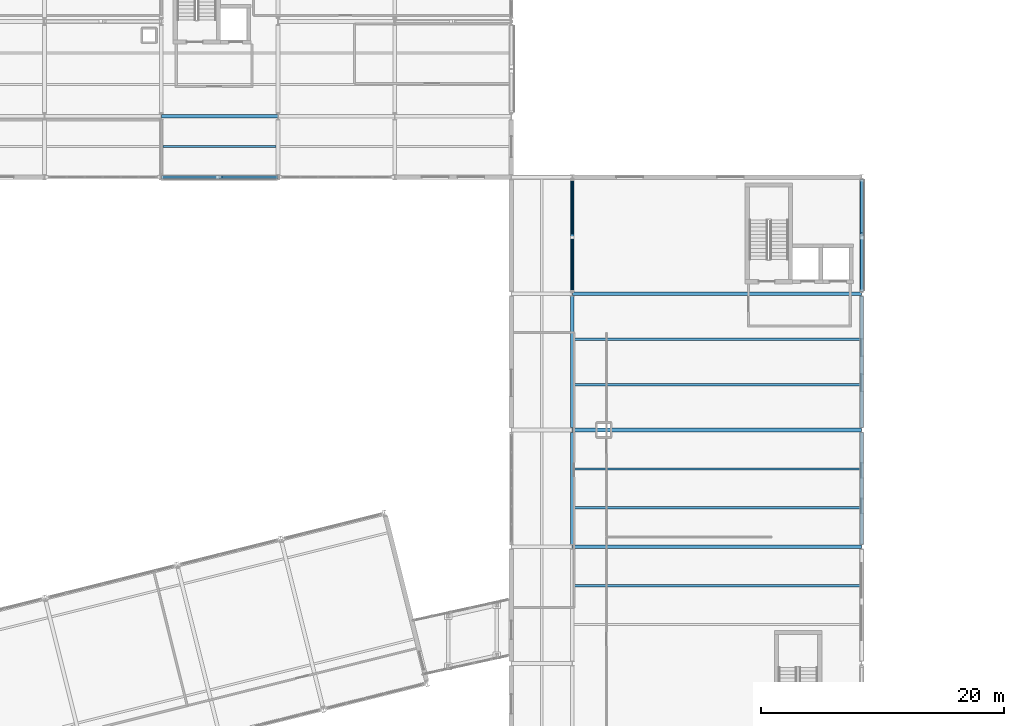
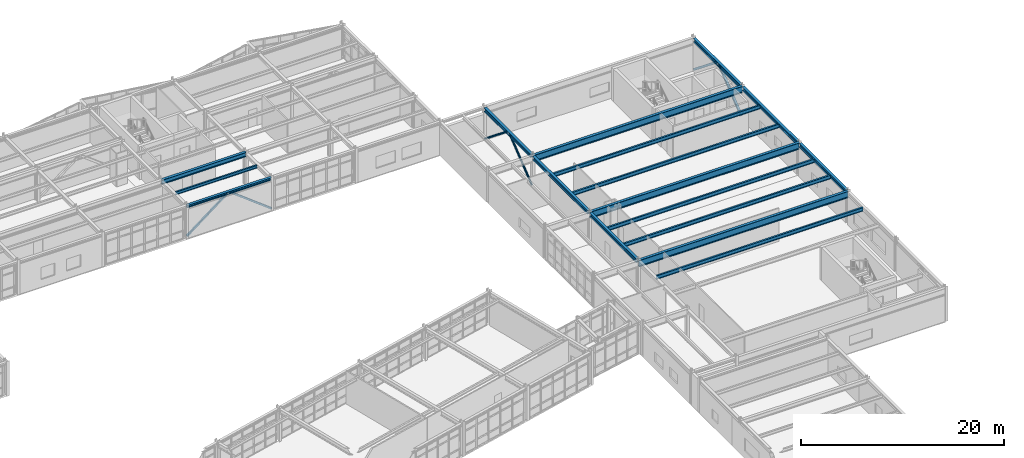
# One storey, part 52 of 99: 17 beams, 6 members.
"""IFC4 building model written with IfcOpenShell, lengths in metres."""

import ifcopenshell
import ifcopenshell.guid

model = None  # the IFC model being written
_history = None  # IfcOwnerHistory: only IFC2X3 demands one
_inside = {}  # id of a spatial element -> (the spatial element, [elements in it])
_under = {}  # id of a project, library or spatial element -> (it, [spatial elements below it])
_declared = {}  # id of a project -> (the project, [libraries it declares])
_typed = {}  # id of a type object -> (the type object, [elements of that type])
_made_of = {}  # id of a material, layer set ... -> (it, [elements and type objects made of it])


def new_model(schema):
    """Start an empty IFC model of exactly this schema.

    Asked for "IFC4X3", IfcOpenShell would pick the latest addendum, in which some entities
    have other attributes; the version numbers below select the first issue.
    IFC2X3 requires an IfcOwnerHistory on every rooted entity: one is made here for all.
    """
    global model, _history
    if schema == "IFC4X3":
        model = ifcopenshell.file(schema_version=(4, 3, 0, 0))
    else:
        model = ifcopenshell.file(schema=schema)
    _inside.clear()
    _under.clear()
    _declared.clear()
    _typed.clear()
    _made_of.clear()
    _history = None
    if model.schema == "IFC2X3":
        org = make("IfcOrganization", Name="unknown")
        user = make(
            "IfcPersonAndOrganization",
            ThePerson=make("IfcPerson", FamilyName="unknown"),
            TheOrganization=org,
        )
        app = make(
            "IfcApplication",
            ApplicationDeveloper=org,
            Version="unknown",
            ApplicationFullName="unknown",
            ApplicationIdentifier="unknown",
        )
        _history = make(
            "IfcOwnerHistory",
            OwningUser=user,
            OwningApplication=app,
            ChangeAction="ADDED",
            CreationDate=0,
        )
    return model


def make(cls, **values):
    """One entity of the class cls with the attributes given. An attribute that is None is left unset."""
    return model.create_entity(
        cls, **{name: value for name, value in values.items() if value is not None}
    )


def rooted(cls, **values):
    """An entity with a GlobalId (a new one), such as an element, a storey or a relation."""
    return make(cls, GlobalId=ifcopenshell.guid.new(), OwnerHistory=_history, **values)


def si_unit(unit_type, name, prefix=None):
    """IfcSIUnit, for example si_unit("LENGTHUNIT", "METRE", prefix="MILLI")."""
    return make("IfcSIUnit", UnitType=unit_type, Prefix=prefix, Name=name)


def assignment(units):
    """IfcUnitAssignment: the units of a project."""
    return None if units is None else make("IfcUnitAssignment", Units=units)


def point(xyz):
    """IfcCartesianPoint."""
    return None if xyz is None else make("IfcCartesianPoint", Coordinates=xyz)


def direction(xyz):
    """IfcDirection."""
    return None if xyz is None else make("IfcDirection", DirectionRatios=xyz)


def frame(location, z_axis=None, x_axis=None):
    """IfcAxis2Placement3D, a coordinate frame: its origin and axes. An axis left out is left unset."""
    return make(
        "IfcAxis2Placement3D",
        Location=point(location),
        Axis=direction(z_axis),
        RefDirection=direction(x_axis),
    )


def frame_2d(location, x_axis=None):
    """IfcAxis2Placement2D, a coordinate frame in the plane: its origin and x axis."""
    return make(
        "IfcAxis2Placement2D", Location=point(location), RefDirection=direction(x_axis)
    )


def origin():
    """The frame at (0, 0, 0) with its axes left unset."""
    return frame((0.0, 0.0, 0.0))


def origin_2d():
    """The frame at (0, 0) in the plane with its x axis left unset."""
    return frame_2d((0.0, 0.0))


def place(relative_to, where):
    """IfcLocalPlacement: puts the frame where relative to a parent placement (None: the world)."""
    return make(
        "IfcLocalPlacement", PlacementRelTo=relative_to, RelativePlacement=where
    )


def context(
    kind, dimensions, precision=None, world=None, true_north=None, identifier=None
):
    """IfcGeometricRepresentationContext, for example the 3D "Model" context."""
    return make(
        "IfcGeometricRepresentationContext",
        ContextIdentifier=identifier,
        ContextType=kind,
        CoordinateSpaceDimension=dimensions,
        Precision=precision,
        WorldCoordinateSystem=world,
        TrueNorth=true_north,
    )


def subcontext(parent, identifier, kind, view, scale=None):
    """IfcGeometricRepresentationSubContext, for example "Body" below "Model"."""
    return make(
        "IfcGeometricRepresentationSubContext",
        ContextIdentifier=identifier,
        ContextType=kind,
        ParentContext=parent,
        TargetScale=scale,
        TargetView=view,
    )


def project(units=None, contexts=None):
    """IfcProject with its units and contexts."""
    return rooted(
        "IfcProject",
        Name="project",
        RepresentationContexts=contexts,
        UnitsInContext=assignment(units),
    )


def spatial(cls, under=None, at=None, **own):
    """A site, building, storey or space (cls), placed at a placement, below another one or the project."""
    s = rooted(cls, ObjectPlacement=at, **own)
    if under is not None:
        _under.setdefault(under.id(), (under, []))[1].append(s)
    return s


def profile(cls, at=None, kind="AREA", **sizes):
    """A parametric profile (cls). Its sizes go by their IFC names, for example OverallWidth=200.0."""
    return make(cls, ProfileType=kind, Position=at, **sizes)


def hollow_rectangle(**sizes):
    """IfcRectangleHollowProfileDef."""
    return profile("IfcRectangleHollowProfileDef", **sizes)


def hollow_circle(**sizes):
    """IfcCircleHollowProfileDef."""
    return profile("IfcCircleHollowProfileDef", **sizes)


def i_section(**sizes):
    """IfcIShapeProfileDef."""
    return profile("IfcIShapeProfileDef", **sizes)


def extrude(swept, where, along, depth):
    """IfcExtrudedAreaSolid: the profile swept, set in the frame where, extruded along a direction by depth."""
    return make(
        "IfcExtrudedAreaSolid",
        SweptArea=swept,
        Position=where,
        ExtrudedDirection=direction(along),
        Depth=depth,
    )


def shape(context_of_items, identifier, shape_type, items):
    """IfcShapeRepresentation: the items that make up one representation, for example the "Body"."""
    return make(
        "IfcShapeRepresentation",
        ContextOfItems=context_of_items,
        RepresentationIdentifier=identifier,
        RepresentationType=shape_type,
        Items=items,
    )


def material(Name=None, Category=None):
    """IfcMaterial."""
    return make("IfcMaterial", Name=Name, Category=Category)


def material_profile(
    of_material, cross_section, Name=None, Category=None, Priority=None
):
    """IfcMaterialProfile: a cross section and its material."""
    return make(
        "IfcMaterialProfile",
        Name=Name,
        Material=of_material,
        Profile=cross_section,
        Priority=Priority,
        Category=Category,
    )


def profile_set(profiles, Name=None, composite=None):
    """IfcMaterialProfileSet."""
    return make(
        "IfcMaterialProfileSet",
        Name=Name,
        MaterialProfiles=profiles,
        CompositeProfile=composite,
    )


def made_of(thing, what):
    """Note that an element or type object is made of a material, layer set ...; save() writes the relation."""
    if what is not None:
        _made_of.setdefault(what.id(), (what, []))[1].append(thing)
    return thing


def type_object(cls, material=None, **own):
    """A type object (cls), such as IfcWallType, which elements share."""
    return made_of(rooted(cls, **own), material)


def element(
    cls,
    number,
    at=None,
    inside=None,
    cuts=None,
    type_object=None,
    material=None,
    context=None,
    identifier="Body",
    shape_type=None,
    held_by="IfcProductDefinitionShape",
    body=None,
    shapes=None,
    **own,
):
    """One element of the class cls, such as IfcWall. Its Tag is "e" and its number.

    at: its placement. inside: the storey or other place that contains it. cuts: it is an
    opening in that element (IfcRelVoidsElement). A single representation is given by context,
    identifier, shape_type and body (its items); several are given by shapes. held_by: the class
    of the entity that holds the representations. save() writes the other relations.
    """
    e = rooted(cls, Tag="e%d" % number, ObjectPlacement=at, **own)
    if body is not None:
        shapes = [shape(context, identifier, shape_type, body)]
    if shapes is not None:
        e.Representation = make(held_by, Representations=shapes)
    if inside is not None:
        _inside.setdefault(inside.id(), (inside, []))[1].append(e)
    if cuts is not None:
        rooted(
            "IfcRelVoidsElement", RelatingBuildingElement=cuts, RelatedOpeningElement=e
        )
    if type_object is not None:
        _typed.setdefault(type_object.id(), (type_object, []))[1].append(e)
    return made_of(e, material)


def aggregate(whole, parts):
    """IfcRelAggregates: a whole, such as a stair, and the parts it consists of."""
    return rooted("IfcRelAggregates", RelatingObject=whole, RelatedObjects=parts)


def save(model, path):
    """Write the relations noted so far, then the file.

    IfcRelAggregates (storeys below a building ...), IfcRelContainedInSpatialStructure (elements
    in a storey), IfcRelDefinesByType, IfcRelAssociatesMaterial and IfcRelDeclares: one each for
    every whole, place, type object, material and project.
    """
    for whole, parts in _under.values():
        aggregate(whole, parts)
    for where, things in _inside.values():
        rooted(
            "IfcRelContainedInSpatialStructure",
            RelatedElements=things,
            RelatingStructure=where,
        )
    for kind, things in _typed.values():
        rooted("IfcRelDefinesByType", RelatedObjects=things, RelatingType=kind)
    for what, things in _made_of.values():
        rooted("IfcRelAssociatesMaterial", RelatedObjects=things, RelatingMaterial=what)
    for by, libraries in _declared.values():
        rooted("IfcRelDeclares", RelatingContext=by, RelatedDefinitions=libraries)
    model.write(path)


model = new_model("IFC4")

# Units and contexts
model_context = context("Model", 3, precision=1e-05, world=origin(), true_north=direction((0.0, 1.0)))
body_context = subcontext(model_context, "Body", "Model", "MODEL_VIEW")
ifc_project = project(units=[si_unit("LENGTHUNIT", "METRE"), si_unit("AREAUNIT", "SQUARE_METRE"), si_unit("VOLUMEUNIT", "CUBIC_METRE"), si_unit("PLANEANGLEUNIT", "RADIAN"), si_unit("MASSUNIT", "GRAM", prefix="KILO")], contexts=[model_context])

# Site, building, storey
site_placement = place(None, origin())
site = spatial("IfcSite", under=ifc_project, at=site_placement, CompositionType="ELEMENT")
building_placement = place(site_placement, origin())
building = spatial("IfcBuilding", under=site, at=building_placement, Name="Nordkorset Police Headquarters", CompositionType="ELEMENT")
storey_placement = place(building_placement, frame((0.0, 0.0, 5.25)))
storey = spatial("IfcBuildingStorey", under=building, at=storey_placement, Name="L01", CompositionType="ELEMENT", Elevation=5.25)

# Beams
ifc_material_1 = material(Name="Steel S355J2", Category="steel")
ifc_material_profile_1 = material_profile(ifc_material_1, i_section(OverallWidth=0.169921875, OverallDepth=0.360107421875, WebThickness=0.008056640625, FlangeThickness=0.0126953125, FilletRadius=0.01806640625, at=origin_2d()), Name="IPE 360")
ifc_profile_set_1 = profile_set([ifc_material_profile_1], Name="Steel S355J2")
beam_type_1 = type_object("IfcBeamType", Name="Beam_IPE_360", PredefinedType="BEAM", material=ifc_profile_set_1)
beam_1_placement = place(storey_placement, frame((57.75, 100.10009765625, 3.780029296875), z_axis=(1.0, 0.0, 0.0), x_axis=(0.0, 1.0, 0.0)))
element("IfcBeam", 1, at=beam_1_placement, inside=storey, type_object=beam_type_1, Name="Composite Floor Beam V2 L01 3-0-1", PredefinedType="BEAM", context=body_context, shape_type="SweptSolid", body=[
    extrude(i_section(OverallWidth=0.169921875, OverallDepth=0.360107421875, WebThickness=0.008056640625, FlangeThickness=0.0126953125, FilletRadius=0.01806640625, at=origin_2d()), origin(), (0.0, 0.0, 1.0), 9.300048828125),
])
ifc_material_2 = material(Name="Steel S355J2", Category="steel")
ifc_material_profile_2 = material_profile(ifc_material_2, i_section(OverallWidth=0.18994140625, OverallDepth=0.449951171875, WebThickness=0.009521484375, FlangeThickness=0.0146484375, FilletRadius=0.02099609375, at=origin_2d()), Name="IPE 450")
ifc_profile_set_2 = profile_set([ifc_material_profile_2], Name="Steel S355J2")
beam_type_2 = type_object("IfcBeamType", Name="Beam_IPE_450", PredefinedType="BEAM", material=ifc_profile_set_2)
for number, where, z_axis, x_axis, name in (
    (2, (91.550048828125, 64.0, 3.735107421875), (1.0, 0.0, 0.0), (0.0, 1.0, 0.0), "Composite Floor Beam V5 L01 1-1-2"),
    (3, (91.550048828125, 70.39990234375, 3.735107421875), (1.0, 0.0, 0.0), (0.0, 1.0, 0.0), "Composite Floor Beam V5 L01 1-2-1"),
    (4, (91.550048828125, 73.60009765625, 3.735107421875), (1.0, 0.0, 0.0), (0.0, 1.0, 0.0), "Composite Floor Beam V5 L01 1-2-2"),
    (5, (91.550048828125, 80.533447265625, 3.735107421875), (1.0, 0.0, 0.0), (0.0, 1.0, 0.0), "Composite Floor Beam V5 L01 1-3-1"),
    (6, (91.550048828125, 84.2666015625, 3.735107421875), (1.0, 0.0, 0.0), (0.0, 1.0, 0.0), "Composite Floor Beam V5 L01 1-3-2"),
):
    element("IfcBeam", number, at=place(storey_placement, frame(where, z_axis=z_axis, x_axis=x_axis)), inside=storey, type_object=beam_type_2, Name=name, PredefinedType="BEAM", context=body_context, shape_type="SweptSolid", body=[
        extrude(i_section(OverallWidth=0.18994140625, OverallDepth=0.449951171875, WebThickness=0.009521484375, FlangeThickness=0.0146484375, FilletRadius=0.02099609375, at=origin_2d()), origin(), (0.0, 0.0, 1.0), 23.5),
    ])

# Members
ifc_material_3 = material(Name="Steel S355J2", Category="steel")
ifc_material_profile_3 = material_profile(ifc_material_3, hollow_circle(Radius=0.109619140625, WallThickness=0.010009765625, at=origin_2d()), Name="CHS 219.1x10")
ifc_profile_set_3 = profile_set([ifc_material_profile_3], Name="Steel S355J2")
member_type_1 = type_object("IfcMemberType", Name="Brace_CHS_219.1x10", PredefinedType="BRACE", material=ifc_profile_set_3)
member_1_placement = place(storey_placement, frame((91.39990234375, 88.199951171875, 0.199951171875), z_axis=(0.0, 0.780532216812, 0.625115556132), x_axis=(-1.0, 0.0, 0.0)))
element("IfcMember", 7, at=member_1_placement, inside=storey, type_object=member_type_1, Name="Lateral Chevron Brace BF-V5-A L01 D1", PredefinedType="BRACE", context=body_context, shape_type="SweptSolid", body=[
    extrude(hollow_circle(Radius=0.109619140625, WallThickness=0.010009765625, at=origin_2d()), origin(), (0.0, 0.0, 1.0), 5.6630859375),
])
member_2_placement = place(storey_placement, frame((91.39990234375, 97.39990234375, 0.199951171875), z_axis=(0.0, -0.780515369336, 0.625136591658), x_axis=(1.0, 0.0, 0.0)))
element("IfcMember", 8, at=member_2_placement, inside=storey, type_object=member_type_1, Name="Lateral Chevron Brace BF-V5-A L01 D2", PredefinedType="BRACE", context=body_context, shape_type="SweptSolid", body=[
    extrude(hollow_circle(Radius=0.109619140625, WallThickness=0.010009765625, at=origin_2d()), origin(), (0.0, 0.0, 1.0), 5.662841796875),
])
ifc_material_4 = material(Name="Steel S355J2", Category="steel")
ifc_material_profile_4 = material_profile(ifc_material_4, hollow_rectangle(XDim=0.199951171875, YDim=0.199951171875, WallThickness=0.010009765625, InnerFilletRadius=0.010009765625, OuterFilletRadius=0.02001953125, at=origin_2d()), Name="SHS 200x200x10")
ifc_profile_set_4 = profile_set([ifc_material_profile_4], Name="Steel S355J2")
member_type_2 = type_object("IfcMemberType", Name="Brace_SHS_200x200x10", PredefinedType="BRACE", material=ifc_profile_set_4)
for number, where, z_axis, x_axis, name in (
    (9, (57.606689453125, 97.60009765625, 0.199951171875), (0.793341392209, 0.0, 0.608776999737), (0.0, 1.0, 0.0), "Lateral Chevron Brace BF-EXT-V2S L01 D1"),
    (10, (67.193359375, 97.60009765625, 0.199951171875), (-0.793341392209, 0.0, 0.608776999737), (0.0, -1.0, 0.0), "Lateral Chevron Brace BF-EXT-V2S L01 D2"),
):
    element("IfcMember", number, at=place(storey_placement, frame(where, z_axis=z_axis, x_axis=x_axis)), inside=storey, type_object=member_type_2, Name=name, PredefinedType="BRACE", context=body_context, shape_type="SweptSolid", body=[
        extrude(hollow_rectangle(XDim=0.199951171875, YDim=0.199951171875, WallThickness=0.010009765625, InnerFilletRadius=0.010009765625, OuterFilletRadius=0.02001953125, at=origin_2d()), origin(), (0.0, 0.0, 1.0), 5.81494140625),
    ])
ifc_material_5 = material(Name="Steel S355J2", Category="steel")
ifc_material_profile_5 = material_profile(ifc_material_5, hollow_rectangle(XDim=0.25, YDim=0.25, WallThickness=0.012451171875, InnerFilletRadius=0.012451171875, OuterFilletRadius=0.02490234375, at=origin_2d()), Name="SHS 250x250x12.5")
ifc_profile_set_5 = profile_set([ifc_material_profile_5], Name="Steel S355J2")
member_type_3 = type_object("IfcMemberType", Name="Brace_SHS_250x250x12.5", PredefinedType="BRACE", material=ifc_profile_set_5)
member_3_placement = place(storey_placement, frame((115.199951171875, 88.199951171875, 0.199951171875), z_axis=(0.0, 0.780532216812, 0.625115556132), x_axis=(-1.0, 0.0, 0.0)))
element("IfcMember", 11, at=member_3_placement, inside=storey, type_object=member_type_3, Name="Lateral Chevron Brace BF-EXT-V5E4 L01 D1", PredefinedType="BRACE", context=body_context, shape_type="SweptSolid", body=[
    extrude(hollow_rectangle(XDim=0.25, YDim=0.25, WallThickness=0.012451171875, InnerFilletRadius=0.012451171875, OuterFilletRadius=0.02490234375, at=origin_2d()), origin(), (0.0, 0.0, 1.0), 5.6630859375),
])
member_4_placement = place(storey_placement, frame((115.199951171875, 97.39990234375, 0.199951171875), z_axis=(0.0, -0.780515369336, 0.625136591658), x_axis=(1.0, 0.0, 0.0)))
element("IfcMember", 12, at=member_4_placement, inside=storey, type_object=member_type_3, Name="Lateral Chevron Brace BF-EXT-V5E4 L01 D2", PredefinedType="BRACE", context=body_context, shape_type="SweptSolid", body=[
    extrude(hollow_rectangle(XDim=0.25, YDim=0.25, WallThickness=0.012451171875, InnerFilletRadius=0.012451171875, OuterFilletRadius=0.02490234375, at=origin_2d()), origin(), (0.0, 0.0, 1.0), 5.662841796875),
])

# Beams
ifc_material_6 = material(Name="Steel S355J2", Category="steel")
ifc_material_profile_6 = material_profile(ifc_material_6, i_section(OverallWidth=0.300048828125, OverallDepth=0.43994140625, WebThickness=0.011474609375, FlangeThickness=0.02099609375, FilletRadius=0.027099609375, at=origin_2d()), Name="HEA 450")
ifc_profile_set_6 = profile_set([ifc_material_profile_6], Name="Steel S355J2")
beam_type_3 = type_object("IfcBeamType", Name="Girder_HEA_450", PredefinedType="USERDEFINED", material=ifc_profile_set_6)
beam_2_placement = place(storey_placement, frame((91.39990234375, 67.39990234375, 3.739990234375), z_axis=(0.0, 1.0, 0.0), x_axis=(-1.0, 0.0, 0.0)))
element("IfcBeam", 13, at=beam_2_placement, inside=storey, type_object=beam_type_3, Name="Girder V5 L01 GY-1-2", ObjectType="GIRDER", PredefinedType="USERDEFINED", context=body_context, shape_type="SweptSolid", body=[
    extrude(i_section(OverallWidth=0.300048828125, OverallDepth=0.43994140625, WebThickness=0.011474609375, FlangeThickness=0.02099609375, FilletRadius=0.027099609375, at=origin_2d()), origin(), (0.0, 0.0, 1.0), 9.2001953125),
])
beam_3_placement = place(storey_placement, frame((91.39990234375, 77.0, 3.739990234375), z_axis=(0.0, 1.0, 0.0), x_axis=(-1.0, 0.0, 0.0)))
element("IfcBeam", 14, at=beam_3_placement, inside=storey, type_object=beam_type_3, Name="Girder V5 L01 GY-1-3", ObjectType="GIRDER", PredefinedType="USERDEFINED", context=body_context, shape_type="SweptSolid", body=[
    extrude(i_section(OverallWidth=0.300048828125, OverallDepth=0.43994140625, WebThickness=0.011474609375, FlangeThickness=0.02099609375, FilletRadius=0.027099609375, at=origin_2d()), origin(), (0.0, 0.0, 1.0), 10.800048828125),
])
beam_4_placement = place(storey_placement, frame((91.39990234375, 88.199951171875, 3.739990234375), z_axis=(0.0, 1.0, 0.0), x_axis=(-1.0, 0.0, 0.0)))
element("IfcBeam", 15, at=beam_4_placement, inside=storey, type_object=beam_type_3, Name="Girder V5 L01 GY-1-4", ObjectType="GIRDER", PredefinedType="USERDEFINED", context=body_context, shape_type="SweptSolid", body=[
    extrude(i_section(OverallWidth=0.300048828125, OverallDepth=0.43994140625, WebThickness=0.011474609375, FlangeThickness=0.02099609375, FilletRadius=0.027099609375, at=origin_2d()), origin(), (0.0, 0.0, 1.0), 9.199951171875),
])
beam_5_placement = place(storey_placement, frame((115.199951171875, 67.39990234375, 3.739990234375), z_axis=(0.0, 1.0, 0.0), x_axis=(-1.0, 0.0, 0.0)))
element("IfcBeam", 16, at=beam_5_placement, inside=storey, type_object=beam_type_3, Name="Girder V5 L01 GY-2-2", ObjectType="GIRDER", PredefinedType="USERDEFINED", context=body_context, shape_type="SweptSolid", body=[
    extrude(i_section(OverallWidth=0.300048828125, OverallDepth=0.43994140625, WebThickness=0.011474609375, FlangeThickness=0.02099609375, FilletRadius=0.027099609375, at=origin_2d()), origin(), (0.0, 0.0, 1.0), 9.2001953125),
])
beam_6_placement = place(storey_placement, frame((115.199951171875, 77.0, 3.739990234375), z_axis=(0.0, 1.0, 0.0), x_axis=(-1.0, 0.0, 0.0)))
element("IfcBeam", 17, at=beam_6_placement, inside=storey, type_object=beam_type_3, Name="Girder V5 L01 GY-2-3", ObjectType="GIRDER", PredefinedType="USERDEFINED", context=body_context, shape_type="SweptSolid", body=[
    extrude(i_section(OverallWidth=0.300048828125, OverallDepth=0.43994140625, WebThickness=0.011474609375, FlangeThickness=0.02099609375, FilletRadius=0.027099609375, at=origin_2d()), origin(), (0.0, 0.0, 1.0), 10.800048828125),
])
beam_7_placement = place(storey_placement, frame((115.199951171875, 88.199951171875, 3.739990234375), z_axis=(0.0, 1.0, 0.0), x_axis=(-1.0, 0.0, 0.0)))
element("IfcBeam", 18, at=beam_7_placement, inside=storey, type_object=beam_type_3, Name="Girder V5 L01 GY-2-4", ObjectType="GIRDER", PredefinedType="USERDEFINED", context=body_context, shape_type="SweptSolid", body=[
    extrude(i_section(OverallWidth=0.300048828125, OverallDepth=0.43994140625, WebThickness=0.011474609375, FlangeThickness=0.02099609375, FilletRadius=0.027099609375, at=origin_2d()), origin(), (0.0, 0.0, 1.0), 9.199951171875),
])
ifc_material_7 = material(Name="Steel S355J2", Category="steel")
ifc_material_profile_7 = material_profile(ifc_material_7, i_section(OverallWidth=0.300048828125, OverallDepth=0.5400390625, WebThickness=0.012451171875, FlangeThickness=0.02392578125, FilletRadius=0.027099609375, at=origin_2d()), Name="HEA 550")
ifc_profile_set_7 = profile_set([ifc_material_profile_7], Name="Steel S355J2")
beam_type_4 = type_object("IfcBeamType", Name="Girder_HEA_550", PredefinedType="USERDEFINED", material=ifc_profile_set_7)
beam_8_placement = place(storey_placement, frame((57.607666015625, 102.60009765625, 3.68994140625), z_axis=(1.0, 0.0, 0.0), x_axis=(0.0, 1.0, 0.0)))
element("IfcBeam", 19, at=beam_8_placement, inside=storey, type_object=beam_type_4, Name="Girder V2 L01 GX-1-3", ObjectType="GIRDER", PredefinedType="USERDEFINED", context=body_context, shape_type="SweptSolid", body=[
    extrude(i_section(OverallWidth=0.300048828125, OverallDepth=0.5400390625, WebThickness=0.012451171875, FlangeThickness=0.02392578125, FilletRadius=0.027099609375, at=origin_2d()), origin(), (0.0, 0.0, 1.0), 9.584716796875),
])
ifc_material_8 = material(Name="Steel S355J2", Category="steel")
ifc_material_profile_8 = material_profile(ifc_material_8, i_section(OverallWidth=0.300048828125, OverallDepth=0.800048828125, WebThickness=0.017578125, FlangeThickness=0.032958984375, FilletRadius=0.030029296875, at=origin_2d()), Name="HEB 800")
ifc_profile_set_8 = profile_set([ifc_material_profile_8], Name="Steel S355J2")
beam_type_5 = type_object("IfcBeamType", Name="Girder_HEB_800", PredefinedType="USERDEFINED", material=ifc_profile_set_8)
for number, where, z_axis, x_axis, name in (
    (20, (91.40673828125, 67.199951171875, 3.56005859375), (1.0, 0.0, 0.0), (0.0, 1.0, 0.0), "Girder V5 L01 GX-2-1"),
    (21, (91.40673828125, 76.800048828125, 3.56005859375), (1.0, 0.0, 0.0), (0.0, 1.0, 0.0), "Girder V5 L01 GX-3-1"),
    (22, (91.40673828125, 88.0, 3.56005859375), (1.0, 0.0, 0.0), (0.0, 1.0, 0.0), "Girder V5 L01 GX-4-1"),
):
    element("IfcBeam", number, at=place(storey_placement, frame(where, z_axis=z_axis, x_axis=x_axis)), inside=storey, type_object=beam_type_5, Name=name, ObjectType="GIRDER", PredefinedType="USERDEFINED", context=body_context, shape_type="SweptSolid", body=[
        extrude(i_section(OverallWidth=0.300048828125, OverallDepth=0.800048828125, WebThickness=0.017578125, FlangeThickness=0.032958984375, FilletRadius=0.030029296875, at=origin_2d()), origin(), (0.0, 0.0, 1.0), 23.78662109375),
    ])
ifc_material_9 = material(Name="Steel S355J2", Category="steel")
ifc_material_profile_9 = material_profile(ifc_material_9, i_section(OverallWidth=0.300048828125, OverallDepth=0.31005859375, WebThickness=0.009033203125, FlangeThickness=0.015380859375, FilletRadius=0.027099609375, at=origin_2d()), Name="HEA 320")
ifc_profile_set_9 = profile_set([ifc_material_profile_9], Name="Steel S355J2")
beam_type_6 = type_object("IfcBeamType", Name="Spandrel_HEA_320", PredefinedType="SPANDREL", material=ifc_profile_set_9)
beam_9_placement = place(storey_placement, frame((57.606689453125, 97.60009765625, 3.804931640625), z_axis=(1.0, 0.0, 0.0), x_axis=(0.0, 1.0, 0.0)))
element("IfcBeam", 23, at=beam_9_placement, inside=storey, type_object=beam_type_6, Name="Girder V2 L01 GX-0-3", PredefinedType="SPANDREL", context=body_context, shape_type="SweptSolid", body=[
    extrude(i_section(OverallWidth=0.300048828125, OverallDepth=0.31005859375, WebThickness=0.009033203125, FlangeThickness=0.015380859375, FilletRadius=0.027099609375, at=origin_2d()), origin(), (0.0, 0.0, 1.0), 9.586669921875),
])

save(model, "model.ifc")
